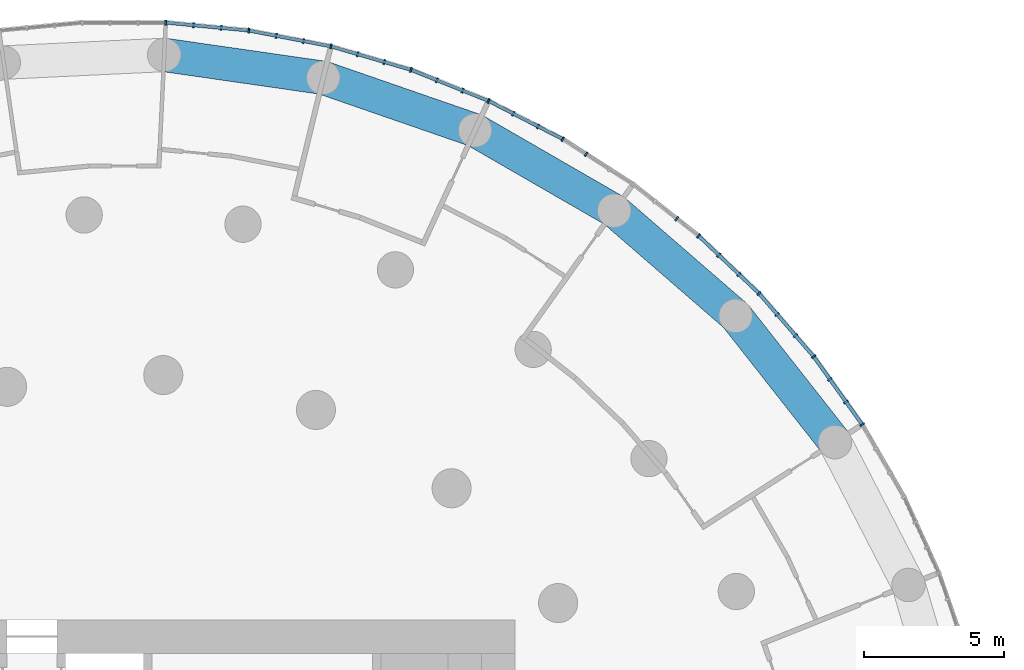
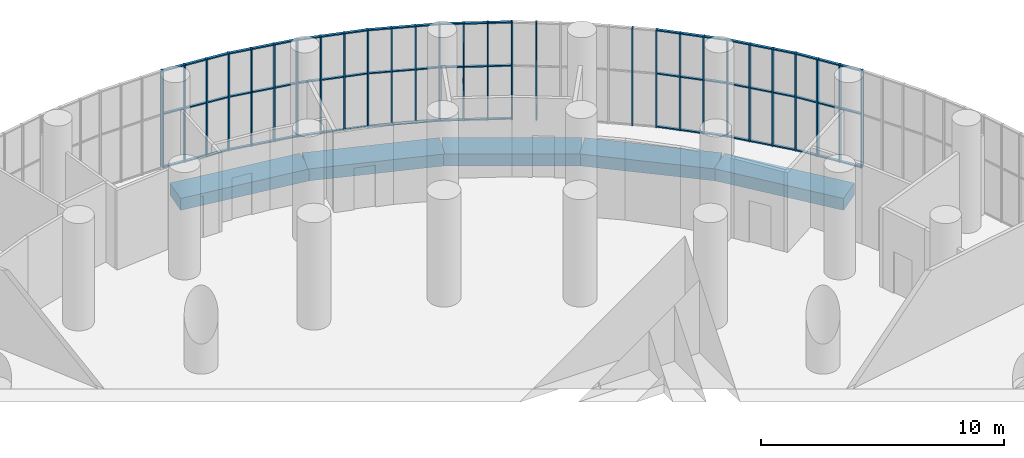
# One storey, part 10 of 27: 52 members, 5 beams, 11 elements without a shape of their own.
"""IFC4 building model written with IfcOpenShell, lengths in metres."""

from ifc_helpers import new_model, si_unit, direction, frame, origin, origin_2d, place, context, subcontext, project, spatial, rectangle, extrude, material, layer, layer_set, material_profile, profile_set, type_object, element, aggregate, save


model = new_model("IFC4")

# Units and contexts
model_context = context("Model", 3, precision=1e-05, world=origin(), true_north=direction((0.0, 1.0)))
body_context = subcontext(model_context, "Body", "Model", "MODEL_VIEW")
ifc_project = project(units=[si_unit("LENGTHUNIT", "METRE"), si_unit("AREAUNIT", "SQUARE_METRE"), si_unit("VOLUMEUNIT", "CUBIC_METRE"), si_unit("PLANEANGLEUNIT", "RADIAN"), si_unit("MASSUNIT", "GRAM", prefix="KILO")], contexts=[model_context])

# Site, building, storey
site_placement = place(None, origin())
site = spatial("IfcSite", under=ifc_project, at=site_placement, CompositionType="ELEMENT")
building_placement = place(site_placement, origin())
building = spatial("IfcBuilding", under=site, at=building_placement, Name="Tracery Tower", CompositionType="ELEMENT")
storey_placement = place(building_placement, frame((0.0, 0.0, 114.60009765625)))
storey = spatial("IfcBuildingStorey", under=building, at=storey_placement, Name="L29", CompositionType="ELEMENT", Elevation=114.60009765625)

# Beams
ifc_material_1 = material(Name="Concrete C60/75", Category="concrete")
ifc_material_profile_1 = material_profile(ifc_material_1, rectangle(XDim=1.199951171875, YDim=0.60009765625, at=origin_2d()), Name="RC 1200x600")
ifc_profile_set_1 = profile_set([ifc_material_profile_1], Name="Concrete C60/75")
beam_type = type_object("IfcBeamType", Name="Perimeter band beam 1200x600", PredefinedType="BEAM", material=ifc_profile_set_1)
beam_1_placement = place(storey_placement, frame((25.468505859375, 16.36767578125, -0.75), z_axis=(-0.618134362257, 0.786072458618, 0.0), x_axis=(-0.786072458618, -0.618134362257, 0.0)))
element("IfcBeam", 1, at=beam_1_placement, inside=storey, type_object=beam_type, Name="Perimeter beam 0.03 under L29", PredefinedType="BEAM", context=body_context, shape_type="SweptSolid", body=[
    extrude(rectangle(XDim=1.199951171875, YDim=0.60009765625, at=origin_2d()), origin(), (0.0, 0.0, 1.0), 5.75537109375),
])
beam_2_placement = place(storey_placement, frame((21.910888671875, 20.891845703125, -0.75), z_axis=(-0.755760456715, 0.65484817482, 0.0), x_axis=(-0.65484817482, -0.755760456715, 0.0)))
element("IfcBeam", 2, at=beam_2_placement, inside=storey, type_object=beam_type, Name="Perimeter beam 0.04 under L29", PredefinedType="BEAM", context=body_context, shape_type="SweptSolid", body=[
    extrude(rectangle(XDim=1.199951171875, YDim=0.60009765625, at=origin_2d()), origin(), (0.0, 0.0, 1.0), 5.755615234375),
])
beam_3_placement = place(storey_placement, frame((17.56103515625, 24.660888671875, -0.75), z_axis=(-0.866021003874, 0.50000762079, 0.0), x_axis=(-0.50000762079, -0.866021003874, 0.0)))
element("IfcBeam", 3, at=beam_3_placement, inside=storey, type_object=beam_type, Name="Perimeter beam 0.05 under L29", PredefinedType="BEAM", context=body_context, shape_type="SweptSolid", body=[
    extrude(rectangle(XDim=1.199951171875, YDim=0.60009765625, at=origin_2d()), origin(), (0.0, 0.0, 1.0), 5.755859375),
])
beam_4_placement = place(storey_placement, frame((12.576416015625, 27.538818359375, -0.75), z_axis=(-0.945007252869, 0.327049372458, 0.0), x_axis=(-0.327049372458, -0.945007252869, 0.0)))
element("IfcBeam", 4, at=beam_4_placement, inside=storey, type_object=beam_type, Name="Perimeter beam 0.06 under L29", PredefinedType="BEAM", context=body_context, shape_type="SweptSolid", body=[
    extrude(rectangle(XDim=1.199951171875, YDim=0.60009765625, at=origin_2d()), origin(), (0.0, 0.0, 1.0), 5.75537109375),
])
beam_5_placement = place(storey_placement, frame((7.137451171875, 29.421142578125, -0.75), z_axis=(-0.989821839174, 0.142312075013, 0.0), x_axis=(-0.142312075013, -0.989821839174, 0.0)))
element("IfcBeam", 5, at=beam_5_placement, inside=storey, type_object=beam_type, Name="Perimeter beam 0.07 under L29", PredefinedType="BEAM", context=body_context, shape_type="SweptSolid", body=[
    extrude(rectangle(XDim=1.199951171875, YDim=0.60009765625, at=origin_2d()), origin(), (0.0, 0.0, 1.0), 5.755615234375),
])

# Curtain wall, members
ifc_material_2 = material(Name="Aluminium curtain wall with tinted glass", Category="aluminium")
ifc_layer = layer(ifc_material_2, 0.179931640625)
ifc_layer_set = layer_set([ifc_layer], Name="Sky lounge 1 tracery curtain wall")
curtain_wall_type = type_object("IfcCurtainWallType", Name="Sky lounge 1 tracery curtain wall", PredefinedType="NOTDEFINED", material=ifc_layer_set)
curtain_wall_1_placement = place(storey_placement, origin())
curtain_wall_1 = element("IfcCurtainWall", 6, at=curtain_wall_1_placement, inside=storey, type_object=curtain_wall_type, Name="Sky lounge 1 curtain wall run 7", PredefinedType="NOTDEFINED")
ifc_material_3 = material(Name="Aluminium, bronze anodised", Category="aluminium")
ifc_material_profile_2 = material_profile(ifc_material_3, rectangle(XDim=0.179931640625, YDim=0.06005859375, at=origin_2d()), Name="AL 60x180")
ifc_profile_set_2 = profile_set([ifc_material_profile_2], Name="Aluminium, bronze anodised")
member_type_1 = type_object("IfcMemberType", Name="Sky lounge 1 mullion 60 x 180", PredefinedType="MULLION", material=ifc_profile_set_2)
member_1_placement = place(storey_placement, frame((26.4443359375, 16.994873046875, 0.0), z_axis=(0.0, 0.0, 1.0), x_axis=(-0.814575952046, -0.580056909578, 0.0)))
member_1 = element("IfcMember", 7, at=member_1_placement, type_object=member_type_1, Name="Sky lounge 1 curtain wall run 7 mullion 1", PredefinedType="MULLION", context=body_context, shape_type="SweptSolid", body=[
    extrude(rectangle(XDim=0.179931640625, YDim=0.06005859375, at=origin_2d()), origin(), (0.0, 0.0, 1.0), 4.89990234375),
])
member_2_placement = place(storey_placement, frame((25.865966796875, 17.80712890625, 0.0), z_axis=(0.0, 0.0, 1.0), x_axis=(-0.814575952046, -0.580056909578, 0.0)))
member_2 = element("IfcMember", 8, at=member_2_placement, type_object=member_type_1, Name="Sky lounge 1 curtain wall run 7 mullion 2", PredefinedType="MULLION", context=body_context, shape_type="SweptSolid", body=[
    extrude(rectangle(XDim=0.179931640625, YDim=0.06005859375, at=origin_2d()), origin(), (0.0, 0.0, 1.0), 4.89990234375),
])
member_3_placement = place(storey_placement, frame((25.28759765625, 18.619384765625, 0.0), z_axis=(0.0, 0.0, 1.0), x_axis=(-0.814575952046, -0.580056909578, 0.0)))
member_3 = element("IfcMember", 9, at=member_3_placement, type_object=member_type_1, Name="Sky lounge 1 curtain wall run 7 mullion 3", PredefinedType="MULLION", context=body_context, shape_type="SweptSolid", body=[
    extrude(rectangle(XDim=0.179931640625, YDim=0.06005859375, at=origin_2d()), origin(), (0.0, 0.0, 1.0), 4.89990234375),
])

curtain_wall_2_placement = place(storey_placement, origin())
curtain_wall_2 = element("IfcCurtainWall", 10, at=curtain_wall_2_placement, inside=storey, type_object=curtain_wall_type, Name="Sky lounge 1 curtain wall run 8", PredefinedType="NOTDEFINED")
member_4_placement = place(storey_placement, frame((24.709228515625, 19.431396484375, 0.0), z_axis=(0.0, 0.0, 1.0), x_axis=(-0.755749574355, -0.654860733944, 0.0)))
member_4 = element("IfcMember", 11, at=member_4_placement, type_object=member_type_1, Name="Sky lounge 1 curtain wall run 8 mullion 1", PredefinedType="MULLION", context=body_context, shape_type="SweptSolid", body=[
    extrude(rectangle(XDim=0.179931640625, YDim=0.06005859375, at=origin_2d()), origin(), (0.0, 0.0, 1.0), 4.89990234375),
])
member_5_placement = place(storey_placement, frame((24.05615234375, 20.18505859375, 0.0), z_axis=(0.0, 0.0, 1.0), x_axis=(-0.755749574355, -0.654860733944, 0.0)))
member_5 = element("IfcMember", 12, at=member_5_placement, type_object=member_type_1, Name="Sky lounge 1 curtain wall run 8 mullion 2", PredefinedType="MULLION", context=body_context, shape_type="SweptSolid", body=[
    extrude(rectangle(XDim=0.179931640625, YDim=0.06005859375, at=origin_2d()), origin(), (0.0, 0.0, 1.0), 4.89990234375),
])
member_6_placement = place(storey_placement, frame((23.4033203125, 20.938720703125, 0.0), z_axis=(0.0, 0.0, 1.0), x_axis=(-0.755749574355, -0.654860733944, 0.0)))
member_6 = element("IfcMember", 13, at=member_6_placement, type_object=member_type_1, Name="Sky lounge 1 curtain wall run 8 mullion 3", PredefinedType="MULLION", context=body_context, shape_type="SweptSolid", body=[
    extrude(rectangle(XDim=0.179931640625, YDim=0.06005859375, at=origin_2d()), origin(), (0.0, 0.0, 1.0), 4.89990234375),
])

curtain_wall_3_placement = place(storey_placement, origin())
curtain_wall_3 = element("IfcCurtainWall", 14, at=curtain_wall_3_placement, inside=storey, type_object=curtain_wall_type, Name="Sky lounge 1 curtain wall run 9", PredefinedType="NOTDEFINED")
member_7_placement = place(storey_placement, frame((22.750244140625, 21.6923828125, 0.0), z_axis=(0.0, 0.0, 1.0), x_axis=(-0.690079011478, -0.723734038109, 0.0)))
member_7 = element("IfcMember", 15, at=member_7_placement, type_object=member_type_1, Name="Sky lounge 1 curtain wall run 9 mullion 1", PredefinedType="MULLION", context=body_context, shape_type="SweptSolid", body=[
    extrude(rectangle(XDim=0.179931640625, YDim=0.06005859375, at=origin_2d()), origin(), (0.0, 0.0, 1.0), 4.89990234375),
])
member_8_placement = place(storey_placement, frame((22.028564453125, 22.38037109375, 0.0), z_axis=(0.0, 0.0, 1.0), x_axis=(-0.690079011478, -0.723734038109, 0.0)))
member_8 = element("IfcMember", 16, at=member_8_placement, type_object=member_type_1, Name="Sky lounge 1 curtain wall run 9 mullion 2", PredefinedType="MULLION", context=body_context, shape_type="SweptSolid", body=[
    extrude(rectangle(XDim=0.179931640625, YDim=0.06005859375, at=origin_2d()), origin(), (0.0, 0.0, 1.0), 4.89990234375),
])
member_9_placement = place(storey_placement, frame((21.306884765625, 23.068603515625, 0.0), z_axis=(0.0, 0.0, 1.0), x_axis=(-0.690079011478, -0.723734038109, 0.0)))
member_9 = element("IfcMember", 17, at=member_9_placement, type_object=member_type_1, Name="Sky lounge 1 curtain wall run 9 mullion 3", PredefinedType="MULLION", context=body_context, shape_type="SweptSolid", body=[
    extrude(rectangle(XDim=0.179931640625, YDim=0.06005859375, at=origin_2d()), origin(), (0.0, 0.0, 1.0), 4.89990234375),
])

curtain_wall_4_placement = place(storey_placement, origin())
curtain_wall_4 = element("IfcCurtainWall", 18, at=curtain_wall_4_placement, inside=storey, type_object=curtain_wall_type, Name="Sky lounge 1 curtain wall run 10", PredefinedType="NOTDEFINED")
member_10_placement = place(storey_placement, frame((20.585205078125, 23.756591796875, 0.0), z_axis=(0.0, 0.0, 1.0), x_axis=(-0.618158986223, -0.786053094741, 0.0)))
member_10 = element("IfcMember", 19, at=member_10_placement, type_object=member_type_1, Name="Sky lounge 1 curtain wall run 10 mullion 1", PredefinedType="MULLION", context=body_context, shape_type="SweptSolid", body=[
    extrude(rectangle(XDim=0.179931640625, YDim=0.06005859375, at=origin_2d()), origin(), (0.0, 0.0, 1.0), 4.89990234375),
])
member_11_placement = place(storey_placement, frame((19.801513671875, 24.373046875, 0.0), z_axis=(0.0, 0.0, 1.0), x_axis=(-0.618158986223, -0.786053094741, 0.0)))
member_11 = element("IfcMember", 20, at=member_11_placement, type_object=member_type_1, Name="Sky lounge 1 curtain wall run 10 mullion 2", PredefinedType="MULLION", context=body_context, shape_type="SweptSolid", body=[
    extrude(rectangle(XDim=0.179931640625, YDim=0.06005859375, at=origin_2d()), origin(), (0.0, 0.0, 1.0), 4.89990234375),
])
aggregate(curtain_wall_4, [member_10, member_11])

# Curtain wall, member
curtain_wall_5_placement = place(storey_placement, origin())
curtain_wall_5 = element("IfcCurtainWall", 21, at=curtain_wall_5_placement, inside=storey, type_object=curtain_wall_type, Name="Sky lounge 1 curtain wall run 11", PredefinedType="NOTDEFINED")
member_12_placement = place(storey_placement, frame((16.55615234375, 26.68408203125, 0.0), z_axis=(0.0, 0.0, 1.0), x_axis=(-0.540640817452, -0.841253532834, 0.0)))
member_12 = element("IfcMember", 22, at=member_12_placement, type_object=member_type_1, Name="Sky lounge 1 curtain wall run 11 mullion 3", PredefinedType="MULLION", context=body_context, shape_type="SweptSolid", body=[
    extrude(rectangle(XDim=0.179931640625, YDim=0.06005859375, at=origin_2d()), origin(), (0.0, 0.0, 1.0), 4.89990234375),
])
aggregate(curtain_wall_5, [member_12])

# Curtain wall, members
curtain_wall_6_placement = place(storey_placement, origin())
curtain_wall_6 = element("IfcCurtainWall", 23, at=curtain_wall_6_placement, inside=storey, type_object=curtain_wall_type, Name="Sky lounge 1 curtain wall run 12", PredefinedType="NOTDEFINED")
member_13_placement = place(storey_placement, frame((15.71728515625, 27.22314453125, 0.0), z_axis=(0.0, 0.0, 1.0), x_axis=(-0.458226521732, -0.888835448653, 0.0)))
member_13 = element("IfcMember", 24, at=member_13_placement, type_object=member_type_1, Name="Sky lounge 1 curtain wall run 12 mullion 1", PredefinedType="MULLION", context=body_context, shape_type="SweptSolid", body=[
    extrude(rectangle(XDim=0.179931640625, YDim=0.06005859375, at=origin_2d()), origin(), (0.0, 0.0, 1.0), 4.89990234375),
])
member_14_placement = place(storey_placement, frame((14.8310546875, 27.679931640625, 0.0), z_axis=(0.0, 0.0, 1.0), x_axis=(-0.458226521732, -0.888835448653, 0.0)))
member_14 = element("IfcMember", 25, at=member_14_placement, type_object=member_type_1, Name="Sky lounge 1 curtain wall run 12 mullion 2", PredefinedType="MULLION", context=body_context, shape_type="SweptSolid", body=[
    extrude(rectangle(XDim=0.179931640625, YDim=0.06005859375, at=origin_2d()), origin(), (0.0, 0.0, 1.0), 4.89990234375),
])
member_15_placement = place(storey_placement, frame((13.944580078125, 28.136962890625, 0.0), z_axis=(0.0, 0.0, 1.0), x_axis=(-0.458226521732, -0.888835448653, 0.0)))
member_15 = element("IfcMember", 26, at=member_15_placement, type_object=member_type_1, Name="Sky lounge 1 curtain wall run 12 mullion 3", PredefinedType="MULLION", context=body_context, shape_type="SweptSolid", body=[
    extrude(rectangle(XDim=0.179931640625, YDim=0.06005859375, at=origin_2d()), origin(), (0.0, 0.0, 1.0), 4.89990234375),
])

curtain_wall_7_placement = place(storey_placement, origin())
curtain_wall_7 = element("IfcCurtainWall", 27, at=curtain_wall_7_placement, inside=storey, type_object=curtain_wall_type, Name="Sky lounge 1 curtain wall run 13", PredefinedType="NOTDEFINED")
member_16_placement = place(storey_placement, frame((13.058349609375, 28.59375, 0.0), z_axis=(0.0, 0.0, 1.0), x_axis=(-0.371662455657, -0.928367933017, 0.0)))
member_16 = element("IfcMember", 28, at=member_16_placement, type_object=member_type_1, Name="Sky lounge 1 curtain wall run 13 mullion 1", PredefinedType="MULLION", context=body_context, shape_type="SweptSolid", body=[
    extrude(rectangle(XDim=0.179931640625, YDim=0.06005859375, at=origin_2d()), origin(), (0.0, 0.0, 1.0), 4.89990234375),
])
member_17_placement = place(storey_placement, frame((12.132568359375, 28.96435546875, 0.0), z_axis=(0.0, 0.0, 1.0), x_axis=(-0.371662455657, -0.928367933017, 0.0)))
member_17 = element("IfcMember", 29, at=member_17_placement, type_object=member_type_1, Name="Sky lounge 1 curtain wall run 13 mullion 2", PredefinedType="MULLION", context=body_context, shape_type="SweptSolid", body=[
    extrude(rectangle(XDim=0.179931640625, YDim=0.06005859375, at=origin_2d()), origin(), (0.0, 0.0, 1.0), 4.89990234375),
])
member_18_placement = place(storey_placement, frame((11.20703125, 29.3349609375, 0.0), z_axis=(0.0, 0.0, 1.0), x_axis=(-0.371662455657, -0.928367933017, 0.0)))
member_18 = element("IfcMember", 30, at=member_18_placement, type_object=member_type_1, Name="Sky lounge 1 curtain wall run 13 mullion 3", PredefinedType="MULLION", context=body_context, shape_type="SweptSolid", body=[
    extrude(rectangle(XDim=0.179931640625, YDim=0.06005859375, at=origin_2d()), origin(), (0.0, 0.0, 1.0), 4.89990234375),
])

curtain_wall_8_placement = place(storey_placement, origin())
curtain_wall_8 = element("IfcCurtainWall", 31, at=curtain_wall_8_placement, inside=storey, type_object=curtain_wall_type, Name="Sky lounge 1 curtain wall run 14", PredefinedType="NOTDEFINED")
member_19_placement = place(storey_placement, frame((10.28125, 29.70556640625, 0.0), z_axis=(0.0, 0.0, 1.0), x_axis=(-0.281732556848, -0.959492973613, 0.0)))
member_19 = element("IfcMember", 32, at=member_19_placement, type_object=member_type_1, Name="Sky lounge 1 curtain wall run 14 mullion 1", PredefinedType="MULLION", context=body_context, shape_type="SweptSolid", body=[
    extrude(rectangle(XDim=0.179931640625, YDim=0.06005859375, at=origin_2d()), origin(), (0.0, 0.0, 1.0), 4.89990234375),
])
member_20_placement = place(storey_placement, frame((9.324462890625, 29.986572265625, 0.0), z_axis=(0.0, 0.0, 1.0), x_axis=(-0.281732556848, -0.959492973613, 0.0)))
member_20 = element("IfcMember", 33, at=member_20_placement, type_object=member_type_1, Name="Sky lounge 1 curtain wall run 14 mullion 2", PredefinedType="MULLION", context=body_context, shape_type="SweptSolid", body=[
    extrude(rectangle(XDim=0.179931640625, YDim=0.06005859375, at=origin_2d()), origin(), (0.0, 0.0, 1.0), 4.89990234375),
])
member_21_placement = place(storey_placement, frame((8.36767578125, 30.267578125, 0.0), z_axis=(0.0, 0.0, 1.0), x_axis=(-0.281732556848, -0.959492973613, 0.0)))
member_21 = element("IfcMember", 34, at=member_21_placement, type_object=member_type_1, Name="Sky lounge 1 curtain wall run 14 mullion 3", PredefinedType="MULLION", context=body_context, shape_type="SweptSolid", body=[
    extrude(rectangle(XDim=0.179931640625, YDim=0.06005859375, at=origin_2d()), origin(), (0.0, 0.0, 1.0), 4.89990234375),
])

curtain_wall_9_placement = place(storey_placement, origin())
curtain_wall_9 = element("IfcCurtainWall", 35, at=curtain_wall_9_placement, inside=storey, type_object=curtain_wall_type, Name="Sky lounge 1 curtain wall run 15", PredefinedType="NOTDEFINED")
member_22_placement = place(storey_placement, frame((7.410888671875, 30.54833984375, 0.0), z_axis=(0.0, 0.0, 1.0), x_axis=(-0.189251244359, -0.981928697263, 0.0)))
member_22 = element("IfcMember", 36, at=member_22_placement, type_object=member_type_1, Name="Sky lounge 1 curtain wall run 15 mullion 1", PredefinedType="MULLION", context=body_context, shape_type="SweptSolid", body=[
    extrude(rectangle(XDim=0.179931640625, YDim=0.06005859375, at=origin_2d()), origin(), (0.0, 0.0, 1.0), 4.89990234375),
])
member_23_placement = place(storey_placement, frame((6.431884765625, 30.737060546875, 0.0), z_axis=(0.0, 0.0, 1.0), x_axis=(-0.189251244359, -0.981928697263, 0.0)))
member_23 = element("IfcMember", 37, at=member_23_placement, type_object=member_type_1, Name="Sky lounge 1 curtain wall run 15 mullion 2", PredefinedType="MULLION", context=body_context, shape_type="SweptSolid", body=[
    extrude(rectangle(XDim=0.179931640625, YDim=0.06005859375, at=origin_2d()), origin(), (0.0, 0.0, 1.0), 4.89990234375),
])
member_24_placement = place(storey_placement, frame((5.45263671875, 30.92578125, 0.0), z_axis=(0.0, 0.0, 1.0), x_axis=(-0.189251244359, -0.981928697263, 0.0)))
member_24 = element("IfcMember", 38, at=member_24_placement, type_object=member_type_1, Name="Sky lounge 1 curtain wall run 15 mullion 3", PredefinedType="MULLION", context=body_context, shape_type="SweptSolid", body=[
    extrude(rectangle(XDim=0.179931640625, YDim=0.06005859375, at=origin_2d()), origin(), (0.0, 0.0, 1.0), 4.89990234375),
])

curtain_wall_10_placement = place(storey_placement, origin())
curtain_wall_10 = element("IfcCurtainWall", 39, at=curtain_wall_10_placement, inside=storey, type_object=curtain_wall_type, Name="Sky lounge 1 curtain wall run 16", PredefinedType="NOTDEFINED")
member_25_placement = place(storey_placement, frame((4.4736328125, 31.114501953125, 0.0), z_axis=(0.0, 0.0, 1.0), x_axis=(-0.095056043312, -0.995471922572, 0.0)))
member_25 = element("IfcMember", 40, at=member_25_placement, type_object=member_type_1, Name="Sky lounge 1 curtain wall run 16 mullion 1", PredefinedType="MULLION", context=body_context, shape_type="SweptSolid", body=[
    extrude(rectangle(XDim=0.179931640625, YDim=0.06005859375, at=origin_2d()), origin(), (0.0, 0.0, 1.0), 4.89990234375),
])
member_26_placement = place(storey_placement, frame((3.48095703125, 31.209228515625, 0.0), z_axis=(0.0, 0.0, 1.0), x_axis=(-0.095056043312, -0.995471922572, 0.0)))
member_26 = element("IfcMember", 41, at=member_26_placement, type_object=member_type_1, Name="Sky lounge 1 curtain wall run 16 mullion 2", PredefinedType="MULLION", context=body_context, shape_type="SweptSolid", body=[
    extrude(rectangle(XDim=0.179931640625, YDim=0.06005859375, at=origin_2d()), origin(), (0.0, 0.0, 1.0), 4.89990234375),
])
member_27_placement = place(storey_placement, frame((2.48828125, 31.30419921875, 0.0), z_axis=(0.0, 0.0, 1.0), x_axis=(-0.095056043312, -0.995471922572, 0.0)))
member_27 = element("IfcMember", 42, at=member_27_placement, type_object=member_type_1, Name="Sky lounge 1 curtain wall run 16 mullion 3", PredefinedType="MULLION", context=body_context, shape_type="SweptSolid", body=[
    extrude(rectangle(XDim=0.179931640625, YDim=0.06005859375, at=origin_2d()), origin(), (0.0, 0.0, 1.0), 4.89990234375),
])

# Curtain wall, member
curtain_wall_11_placement = place(storey_placement, origin())
curtain_wall_11 = element("IfcCurtainWall", 43, at=curtain_wall_11_placement, inside=storey, type_object=curtain_wall_type, Name="Sky lounge 1 curtain wall run 17", PredefinedType="NOTDEFINED")
member_28_placement = place(storey_placement, frame((1.49560546875, 31.39892578125, 0.0), z_axis=(0.0, 0.0, 1.0), x_axis=(0.0, -1.0, 0.0)))
member_28 = element("IfcMember", 44, at=member_28_placement, type_object=member_type_1, Name="Sky lounge 1 curtain wall run 17 mullion 1", PredefinedType="MULLION", context=body_context, shape_type="SweptSolid", body=[
    extrude(rectangle(XDim=0.179931640625, YDim=0.06005859375, at=origin_2d()), origin(), (0.0, 0.0, 1.0), 4.89990234375),
])
aggregate(curtain_wall_11, [member_28])

# Member
ifc_material_4 = material(Name="Aluminium, bronze anodised", Category="aluminium")
ifc_material_profile_3 = material_profile(ifc_material_4, rectangle(XDim=0.1201171875, YDim=0.06005859375, at=origin_2d()), Name="AL 60x120")
ifc_profile_set_3 = profile_set([ifc_material_profile_3], Name="Aluminium, bronze anodised")
member_type_2 = type_object("IfcMemberType", Name="Sky lounge 1 transom 60 x 120", PredefinedType="USERDEFINED", material=ifc_profile_set_3)
member_29_placement = place(storey_placement, frame((26.427001953125, 17.019287109375, 0.02978515625), z_axis=(-0.58009523592, 0.814548658622, 0.0), x_axis=(-0.814548658622, -0.58009523592, 0.0)))
member_29 = element("IfcMember", 45, at=member_29_placement, type_object=member_type_2, Name="Sky lounge 1 curtain wall run 7 transom 1", ObjectType="TRANSOM", PredefinedType="USERDEFINED", context=body_context, shape_type="SweptSolid", body=[
    extrude(rectangle(XDim=0.1201171875, YDim=0.06005859375, at=origin_2d()), origin(), (0.0, 0.0, 1.0), 2.931396484375),
])

member_30_placement = place(storey_placement, frame((26.427001953125, 17.019287109375, 2.699951171875), z_axis=(-0.58009523592, 0.814548658622, 0.0), x_axis=(-0.814548658622, -0.58009523592, 0.0)))
member_30 = element("IfcMember", 46, at=member_30_placement, type_object=member_type_2, Name="Sky lounge 1 curtain wall run 7 transom 2", ObjectType="TRANSOM", PredefinedType="USERDEFINED", context=body_context, shape_type="SweptSolid", body=[
    extrude(rectangle(XDim=0.1201171875, YDim=0.06005859375, at=origin_2d()), origin(), (0.0, 0.0, 1.0), 2.931396484375),
])

member_31_placement = place(storey_placement, frame((26.427001953125, 17.019287109375, 4.869873046875), z_axis=(-0.58009523592, 0.814548658622, 0.0), x_axis=(-0.814548658622, -0.58009523592, 0.0)))
member_31 = element("IfcMember", 47, at=member_31_placement, type_object=member_type_2, Name="Sky lounge 1 curtain wall run 7 transom 3", ObjectType="TRANSOM", PredefinedType="USERDEFINED", context=body_context, shape_type="SweptSolid", body=[
    extrude(rectangle(XDim=0.1201171875, YDim=0.06005859375, at=origin_2d()), origin(), (0.0, 0.0, 1.0), 2.931396484375),
])

aggregate(curtain_wall_1, [member_1, member_2, member_3, member_29, member_30, member_31])

member_32_placement = place(storey_placement, frame((24.689453125, 19.4541015625, 0.02978515625), z_axis=(-0.654835415785, 0.755771511923, 0.0), x_axis=(-0.755771511923, -0.654835415785, 0.0)))
member_32 = element("IfcMember", 48, at=member_32_placement, type_object=member_type_2, Name="Sky lounge 1 curtain wall run 8 transom 1", ObjectType="TRANSOM", PredefinedType="USERDEFINED", context=body_context, shape_type="SweptSolid", body=[
    extrude(rectangle(XDim=0.1201171875, YDim=0.06005859375, at=origin_2d()), origin(), (0.0, 0.0, 1.0), 2.931640625),
])

member_33_placement = place(storey_placement, frame((24.689453125, 19.4541015625, 2.699951171875), z_axis=(-0.654835415785, 0.755771511923, 0.0), x_axis=(-0.755771511923, -0.654835415785, 0.0)))
member_33 = element("IfcMember", 49, at=member_33_placement, type_object=member_type_2, Name="Sky lounge 1 curtain wall run 8 transom 2", ObjectType="TRANSOM", PredefinedType="USERDEFINED", context=body_context, shape_type="SweptSolid", body=[
    extrude(rectangle(XDim=0.1201171875, YDim=0.06005859375, at=origin_2d()), origin(), (0.0, 0.0, 1.0), 2.931640625),
])

member_34_placement = place(storey_placement, frame((24.689453125, 19.4541015625, 4.869873046875), z_axis=(-0.654835415785, 0.755771511923, 0.0), x_axis=(-0.755771511923, -0.654835415785, 0.0)))
member_34 = element("IfcMember", 50, at=member_34_placement, type_object=member_type_2, Name="Sky lounge 1 curtain wall run 8 transom 3", ObjectType="TRANSOM", PredefinedType="USERDEFINED", context=body_context, shape_type="SweptSolid", body=[
    extrude(rectangle(XDim=0.1201171875, YDim=0.06005859375, at=origin_2d()), origin(), (0.0, 0.0, 1.0), 2.931640625),
])

aggregate(curtain_wall_2, [member_4, member_5, member_6, member_32, member_33, member_34])

member_35_placement = place(storey_placement, frame((22.728515625, 21.712890625, 0.02978515625), z_axis=(-0.723729806438, 0.690083449499, 0.0), x_axis=(-0.690083449499, -0.723729806438, 0.0)))
member_35 = element("IfcMember", 51, at=member_35_placement, type_object=member_type_2, Name="Sky lounge 1 curtain wall run 9 transom 1", ObjectType="TRANSOM", PredefinedType="USERDEFINED", context=body_context, shape_type="SweptSolid", body=[
    extrude(rectangle(XDim=0.1201171875, YDim=0.06005859375, at=origin_2d()), origin(), (0.0, 0.0, 1.0), 2.931396484375),
])

member_36_placement = place(storey_placement, frame((22.728515625, 21.712890625, 2.699951171875), z_axis=(-0.723729806438, 0.690083449499, 0.0), x_axis=(-0.690083449499, -0.723729806438, 0.0)))
member_36 = element("IfcMember", 52, at=member_36_placement, type_object=member_type_2, Name="Sky lounge 1 curtain wall run 9 transom 2", ObjectType="TRANSOM", PredefinedType="USERDEFINED", context=body_context, shape_type="SweptSolid", body=[
    extrude(rectangle(XDim=0.1201171875, YDim=0.06005859375, at=origin_2d()), origin(), (0.0, 0.0, 1.0), 2.931396484375),
])

member_37_placement = place(storey_placement, frame((22.728515625, 21.712890625, 4.869873046875), z_axis=(-0.723729806438, 0.690083449499, 0.0), x_axis=(-0.690083449499, -0.723729806438, 0.0)))
member_37 = element("IfcMember", 53, at=member_37_placement, type_object=member_type_2, Name="Sky lounge 1 curtain wall run 9 transom 3", ObjectType="TRANSOM", PredefinedType="USERDEFINED", context=body_context, shape_type="SweptSolid", body=[
    extrude(rectangle(XDim=0.1201171875, YDim=0.06005859375, at=origin_2d()), origin(), (0.0, 0.0, 1.0), 2.931396484375),
])

aggregate(curtain_wall_3, [member_7, member_8, member_9, member_35, member_36, member_37])

member_38_placement = place(storey_placement, frame((15.690673828125, 27.23681640625, 0.02978515625), z_axis=(-0.888846096412, 0.458205867372, 0.0), x_axis=(-0.458205867372, -0.888846096412, 0.0)))
member_38 = element("IfcMember", 54, at=member_38_placement, type_object=member_type_2, Name="Sky lounge 1 curtain wall run 12 transom 1", ObjectType="TRANSOM", PredefinedType="USERDEFINED", context=body_context, shape_type="SweptSolid", body=[
    extrude(rectangle(XDim=0.1201171875, YDim=0.06005859375, at=origin_2d()), origin(), (0.0, 0.0, 1.0), 2.931640625),
])

member_39_placement = place(storey_placement, frame((15.690673828125, 27.23681640625, 2.699951171875), z_axis=(-0.888846096412, 0.458205867372, 0.0), x_axis=(-0.458205867372, -0.888846096412, 0.0)))
member_39 = element("IfcMember", 55, at=member_39_placement, type_object=member_type_2, Name="Sky lounge 1 curtain wall run 12 transom 2", ObjectType="TRANSOM", PredefinedType="USERDEFINED", context=body_context, shape_type="SweptSolid", body=[
    extrude(rectangle(XDim=0.1201171875, YDim=0.06005859375, at=origin_2d()), origin(), (0.0, 0.0, 1.0), 2.931640625),
])

member_40_placement = place(storey_placement, frame((15.690673828125, 27.23681640625, 4.869873046875), z_axis=(-0.888846096412, 0.458205867372, 0.0), x_axis=(-0.458205867372, -0.888846096412, 0.0)))
member_40 = element("IfcMember", 56, at=member_40_placement, type_object=member_type_2, Name="Sky lounge 1 curtain wall run 12 transom 3", ObjectType="TRANSOM", PredefinedType="USERDEFINED", context=body_context, shape_type="SweptSolid", body=[
    extrude(rectangle(XDim=0.1201171875, YDim=0.06005859375, at=origin_2d()), origin(), (0.0, 0.0, 1.0), 2.931640625),
])

aggregate(curtain_wall_6, [member_13, member_14, member_15, member_38, member_39, member_40])

member_41_placement = place(storey_placement, frame((13.030517578125, 28.60498046875, 0.02978515625), z_axis=(-0.928356025106, 0.371692198802, 0.0), x_axis=(-0.371692198802, -0.928356025106, 0.0)))
member_41 = element("IfcMember", 57, at=member_41_placement, type_object=member_type_2, Name="Sky lounge 1 curtain wall run 13 transom 1", ObjectType="TRANSOM", PredefinedType="USERDEFINED", context=body_context, shape_type="SweptSolid", body=[
    extrude(rectangle(XDim=0.1201171875, YDim=0.06005859375, at=origin_2d()), origin(), (0.0, 0.0, 1.0), 2.931396484375),
])

member_42_placement = place(storey_placement, frame((13.030517578125, 28.60498046875, 2.699951171875), z_axis=(-0.928356025106, 0.371692198802, 0.0), x_axis=(-0.371692198802, -0.928356025106, 0.0)))
member_42 = element("IfcMember", 58, at=member_42_placement, type_object=member_type_2, Name="Sky lounge 1 curtain wall run 13 transom 2", ObjectType="TRANSOM", PredefinedType="USERDEFINED", context=body_context, shape_type="SweptSolid", body=[
    extrude(rectangle(XDim=0.1201171875, YDim=0.06005859375, at=origin_2d()), origin(), (0.0, 0.0, 1.0), 2.931396484375),
])

member_43_placement = place(storey_placement, frame((13.030517578125, 28.60498046875, 4.869873046875), z_axis=(-0.928356025106, 0.371692198802, 0.0), x_axis=(-0.371692198802, -0.928356025106, 0.0)))
member_43 = element("IfcMember", 59, at=member_43_placement, type_object=member_type_2, Name="Sky lounge 1 curtain wall run 13 transom 3", ObjectType="TRANSOM", PredefinedType="USERDEFINED", context=body_context, shape_type="SweptSolid", body=[
    extrude(rectangle(XDim=0.1201171875, YDim=0.06005859375, at=origin_2d()), origin(), (0.0, 0.0, 1.0), 2.931396484375),
])

aggregate(curtain_wall_7, [member_16, member_17, member_18, member_41, member_42, member_43])

member_44_placement = place(storey_placement, frame((10.25244140625, 29.714111328125, 0.02978515625), z_axis=(-0.959490065478, 0.281742460855, 0.0), x_axis=(-0.281742460855, -0.959490065478, 0.0)))
member_44 = element("IfcMember", 60, at=member_44_placement, type_object=member_type_2, Name="Sky lounge 1 curtain wall run 14 transom 1", ObjectType="TRANSOM", PredefinedType="USERDEFINED", context=body_context, shape_type="SweptSolid", body=[
    extrude(rectangle(XDim=0.1201171875, YDim=0.06005859375, at=origin_2d()), origin(), (0.0, 0.0, 1.0), 2.931396484375),
])

member_45_placement = place(storey_placement, frame((10.25244140625, 29.714111328125, 2.699951171875), z_axis=(-0.959490065478, 0.281742460855, 0.0), x_axis=(-0.281742460855, -0.959490065478, 0.0)))
member_45 = element("IfcMember", 61, at=member_45_placement, type_object=member_type_2, Name="Sky lounge 1 curtain wall run 14 transom 2", ObjectType="TRANSOM", PredefinedType="USERDEFINED", context=body_context, shape_type="SweptSolid", body=[
    extrude(rectangle(XDim=0.1201171875, YDim=0.06005859375, at=origin_2d()), origin(), (0.0, 0.0, 1.0), 2.931396484375),
])

member_46_placement = place(storey_placement, frame((10.25244140625, 29.714111328125, 4.869873046875), z_axis=(-0.959490065478, 0.281742460855, 0.0), x_axis=(-0.281742460855, -0.959490065478, 0.0)))
member_46 = element("IfcMember", 62, at=member_46_placement, type_object=member_type_2, Name="Sky lounge 1 curtain wall run 14 transom 3", ObjectType="TRANSOM", PredefinedType="USERDEFINED", context=body_context, shape_type="SweptSolid", body=[
    extrude(rectangle(XDim=0.1201171875, YDim=0.06005859375, at=origin_2d()), origin(), (0.0, 0.0, 1.0), 2.931396484375),
])

aggregate(curtain_wall_8, [member_19, member_20, member_21, member_44, member_45, member_46])

member_47_placement = place(storey_placement, frame((7.381591796875, 30.55419921875, 0.02978515625), z_axis=(-0.981933900995, 0.189224242838, 0.0), x_axis=(-0.189224242838, -0.981933900995, 0.0)))
member_47 = element("IfcMember", 63, at=member_47_placement, type_object=member_type_2, Name="Sky lounge 1 curtain wall run 15 transom 1", ObjectType="TRANSOM", PredefinedType="USERDEFINED", context=body_context, shape_type="SweptSolid", body=[
    extrude(rectangle(XDim=0.1201171875, YDim=0.06005859375, at=origin_2d()), origin(), (0.0, 0.0, 1.0), 2.931396484375),
])

member_48_placement = place(storey_placement, frame((7.381591796875, 30.55419921875, 2.699951171875), z_axis=(-0.981933900995, 0.189224242838, 0.0), x_axis=(-0.189224242838, -0.981933900995, 0.0)))
member_48 = element("IfcMember", 64, at=member_48_placement, type_object=member_type_2, Name="Sky lounge 1 curtain wall run 15 transom 2", ObjectType="TRANSOM", PredefinedType="USERDEFINED", context=body_context, shape_type="SweptSolid", body=[
    extrude(rectangle(XDim=0.1201171875, YDim=0.06005859375, at=origin_2d()), origin(), (0.0, 0.0, 1.0), 2.931396484375),
])

member_49_placement = place(storey_placement, frame((7.381591796875, 30.55419921875, 4.869873046875), z_axis=(-0.981933900995, 0.189224242838, 0.0), x_axis=(-0.189224242838, -0.981933900995, 0.0)))
member_49 = element("IfcMember", 65, at=member_49_placement, type_object=member_type_2, Name="Sky lounge 1 curtain wall run 15 transom 3", ObjectType="TRANSOM", PredefinedType="USERDEFINED", context=body_context, shape_type="SweptSolid", body=[
    extrude(rectangle(XDim=0.1201171875, YDim=0.06005859375, at=origin_2d()), origin(), (0.0, 0.0, 1.0), 2.931396484375),
])

aggregate(curtain_wall_9, [member_22, member_23, member_24, member_47, member_48, member_49])

member_50_placement = place(storey_placement, frame((4.44384765625, 31.117431640625, 0.02978515625), z_axis=(-0.995474862458, 0.095025250403, 0.0), x_axis=(-0.095025250403, -0.995474862458, 0.0)))
member_50 = element("IfcMember", 66, at=member_50_placement, type_object=member_type_2, Name="Sky lounge 1 curtain wall run 16 transom 1", ObjectType="TRANSOM", PredefinedType="USERDEFINED", context=body_context, shape_type="SweptSolid", body=[
    extrude(rectangle(XDim=0.1201171875, YDim=0.06005859375, at=origin_2d()), origin(), (0.0, 0.0, 1.0), 2.931396484375),
])

member_51_placement = place(storey_placement, frame((4.44384765625, 31.117431640625, 2.699951171875), z_axis=(-0.995474862458, 0.095025250403, 0.0), x_axis=(-0.095025250403, -0.995474862458, 0.0)))
member_51 = element("IfcMember", 67, at=member_51_placement, type_object=member_type_2, Name="Sky lounge 1 curtain wall run 16 transom 2", ObjectType="TRANSOM", PredefinedType="USERDEFINED", context=body_context, shape_type="SweptSolid", body=[
    extrude(rectangle(XDim=0.1201171875, YDim=0.06005859375, at=origin_2d()), origin(), (0.0, 0.0, 1.0), 2.931396484375),
])

member_52_placement = place(storey_placement, frame((4.44384765625, 31.117431640625, 4.869873046875), z_axis=(-0.995474862458, 0.095025250403, 0.0), x_axis=(-0.095025250403, -0.995474862458, 0.0)))
member_52 = element("IfcMember", 68, at=member_52_placement, type_object=member_type_2, Name="Sky lounge 1 curtain wall run 16 transom 3", ObjectType="TRANSOM", PredefinedType="USERDEFINED", context=body_context, shape_type="SweptSolid", body=[
    extrude(rectangle(XDim=0.1201171875, YDim=0.06005859375, at=origin_2d()), origin(), (0.0, 0.0, 1.0), 2.931396484375),
])

aggregate(curtain_wall_10, [member_25, member_26, member_27, member_50, member_51, member_52])

save(model, "model.ifc")
